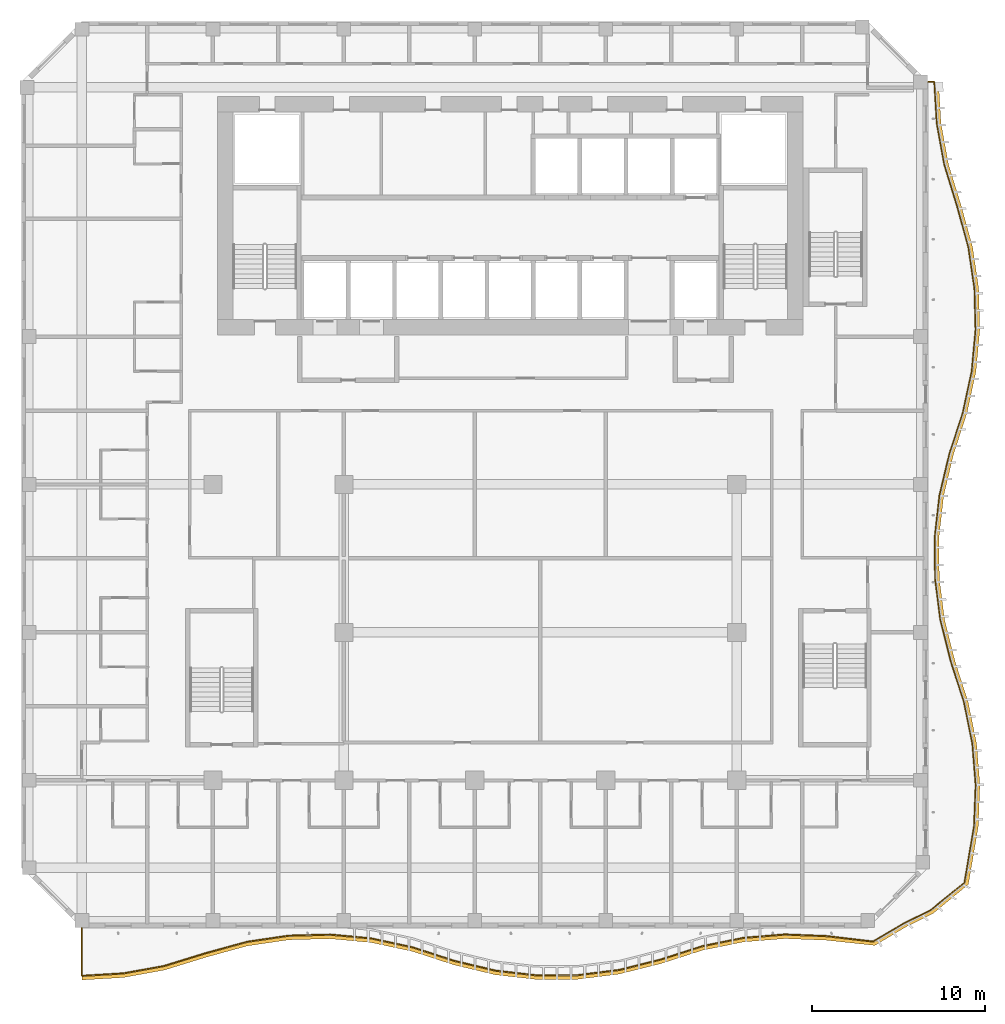
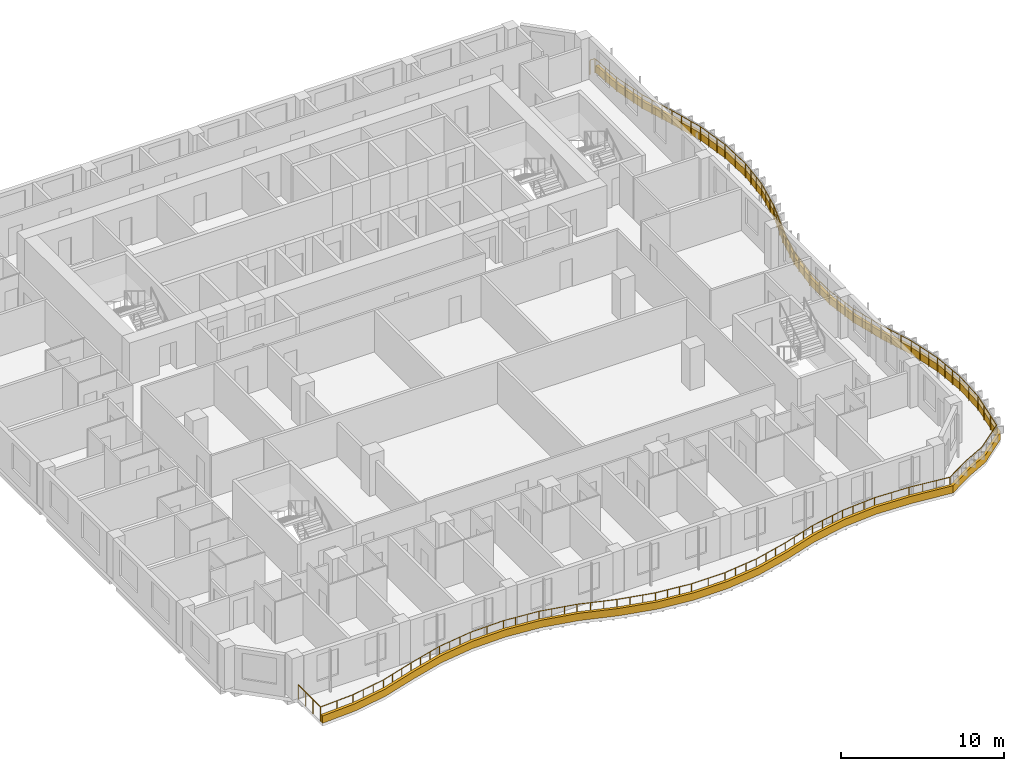
# One storey, part 17 of 22: 1 railing, 1 shading device.
"""IFC4 building model written with IfcOpenShell, lengths in metres."""

from ifc_helpers import new_model, si_unit, direction, frame, origin, origin_2d, place, context, subcontext, project, spatial, polyline, circle, outline, extrude, source, transform, mapped, material, layer, layer_set, type_object, element, save


model = new_model("IFC4")

# Units and contexts
model_context = context("Model", 3, precision=1e-05, world=origin(), true_north=direction((0.0, 1.0)))
body_context = subcontext(model_context, "Body", "Model", "MODEL_VIEW")
ifc_project = project(units=[si_unit("LENGTHUNIT", "METRE"), si_unit("AREAUNIT", "SQUARE_METRE"), si_unit("VOLUMEUNIT", "CUBIC_METRE"), si_unit("PLANEANGLEUNIT", "RADIAN"), si_unit("MASSUNIT", "GRAM", prefix="KILO")], contexts=[model_context])

# Site, building, storey
site_placement = place(None, origin())
site = spatial("IfcSite", under=ifc_project, at=site_placement, CompositionType="ELEMENT")
building_placement = place(site_placement, origin())
building = spatial("IfcBuilding", under=site, at=building_placement, Name="Kilnfold Tower and Market Hall", CompositionType="ELEMENT")
storey_placement = place(building_placement, frame((0.0, 0.0, 171.89990234375)))
storey = spatial("IfcBuildingStorey", under=building, at=storey_placement, Name="L40", CompositionType="ELEMENT", Elevation=171.89990234375)

# Railing
ifc_material_1 = material(Name="Stainless steel and laminated glass", Category="steel")
railing_type = type_object("IfcRailingType", Name="GUARD 1100", PredefinedType="GUARDRAIL", material=ifc_material_1)
railing_placement = place(storey_placement, frame((-23.75, -26.25, 0.0)))
element("IfcRailing", 1, at=railing_placement, inside=storey, type_object=railing_type, Name="Guard balcony L40", PredefinedType="GUARDRAIL", context=body_context, shape_type="SweptSolid", body=[
    extrude(circle(Radius=0.02490234375, at=origin_2d()), frame((0.0, 0.0, 1.0751953125), z_axis=(0.0, -1.0, 0.0), x_axis=(1.0, 0.0, 0.0)), (0.0, 0.0, 1.0), 2.75),
    extrude(circle(Radius=0.02490234375, at=origin_2d()), frame((0.0, -2.75, 1.0751953125), z_axis=(0.998232361195, 0.059431919557, 0.0), x_axis=(-0.059431919557, 0.998232361195, 0.0)), (0.0, 0.0, 1.0), 2.39892578125),
    extrude(circle(Radius=0.02490234375, at=origin_2d()), frame((2.394775390625, -2.607421875, 1.0751953125), z_axis=(0.983948458674, 0.178452880822, 0.0), x_axis=(-0.178452880822, 0.983948458674, 0.0)), (0.0, 0.0, 1.0), 2.433837890625),
    extrude(circle(Radius=0.02490234375, at=origin_2d()), frame((4.78955078125, -2.173095703125, 1.0751953125), z_axis=(0.955500538095, 0.294989358621, 0.0), x_axis=(-0.294989358621, 0.955500538095, 0.0)), (0.0, 0.0, 1.0), 2.506103515625),
    extrude(circle(Radius=0.02490234375, at=origin_2d()), frame((7.18408203125, -1.433837890625, 1.0751953125), z_axis=(0.964367964402, 0.264564603141, 0.0), x_axis=(-0.264564603141, 0.964367964402, 0.0)), (0.0, 0.0, 1.0), 2.483154296875),
    extrude(circle(Radius=0.02490234375, at=origin_2d()), frame((9.578857421875, -0.77685546875, 1.0751953125), z_axis=(0.989351874828, 0.145543353591, 0.0), x_axis=(-0.145543353591, 0.989351874828, 0.0)), (0.0, 0.0, 1.0), 2.420654296875),
    extrude(circle(Radius=0.02490234375, at=origin_2d()), frame((11.9736328125, -0.424560546875, 1.0751953125), z_axis=(0.999646189257, 0.026598802671, 0.0), x_axis=(-0.026598802671, 0.999646189257, 0.0)), (0.0, 0.0, 1.0), 2.3955078125),
    extrude(circle(Radius=0.02490234375, at=origin_2d()), frame((14.368408203125, -0.36083984375, 1.0751953125), z_axis=(0.995733595296, -0.092274629231, 0.0), x_axis=(0.092274629231, 0.995733595296, 0.0)), (0.0, 0.0, 1.0), 2.405029296875),
    extrude(circle(Radius=0.02490234375, at=origin_2d()), frame((16.76318359375, -0.582763671875, 1.0751953125), z_axis=(0.97743196343, -0.211250460034, 0.0), x_axis=(0.211250460034, 0.97743196343, 0.0)), (0.0, 0.0, 1.0), 2.449951171875),
    extrude(circle(Radius=0.02490234375, at=origin_2d()), frame((19.157958984375, -1.100341796875, 1.0751953125), z_axis=(0.95090859365, -0.309471883251, 0.0), x_axis=(0.309471883251, 0.95090859365, 0.0)), (0.0, 0.0, 1.0), 2.51806640625),
    extrude(circle(Radius=0.02490234375, at=origin_2d()), frame((21.552490234375, -1.879638671875, 1.0751953125), z_axis=(0.97282217263, -0.231553493689, 0.0), x_axis=(0.231553493689, 0.97282217263, 0.0)), (0.0, 0.0, 1.0), 2.4619140625),
    extrude(circle(Radius=0.02490234375, at=origin_2d()), frame((23.947509765625, -2.44970703125, 1.0751953125), z_axis=(0.993622807535, -0.11275511672, 0.0), x_axis=(0.11275511672, 0.993622807535, 0.0)), (0.0, 0.0, 1.0), 2.409912109375),
    extrude(circle(Radius=0.02490234375, at=origin_2d()), frame((26.342041015625, -2.721435546875, 1.0751953125), z_axis=(0.999980663957, 0.006218658426, 0.0), x_axis=(-0.006218658426, 0.999980663957, 0.0)), (0.0, 0.0, 1.0), 2.394775390625),
    extrude(circle(Radius=0.02490234375, at=origin_2d()), frame((28.73681640625, -2.70654296875, 1.0751953125), z_axis=(0.992141905522, 0.125117701818, 0.0), x_axis=(-0.125117701818, 0.992141905522, 0.0)), (0.0, 0.0, 1.0), 2.413818359375),
    extrude(circle(Radius=0.02490234375, at=origin_2d()), frame((31.131591796875, -2.404541015625, 1.0751953125), z_axis=(0.969751609907, 0.244093865313, 0.0), x_axis=(-0.244093865313, 0.969751609907, 0.0)), (0.0, 0.0, 1.0), 2.469482421875),
    extrude(circle(Radius=0.02490234375, at=origin_2d()), frame((33.5263671875, -1.8017578125, 1.0751953125), z_axis=(0.952025531735, 0.306018605521, 0.0), x_axis=(-0.306018605521, 0.952025531735, 0.0)), (0.0, 0.0, 1.0), 2.515380859375),
    extrude(circle(Radius=0.02490234375, at=origin_2d()), frame((35.921142578125, -1.031982421875, 1.0751953125), z_axis=(0.980035103749, 0.19882453425, 0.0), x_axis=(-0.19882453425, 0.980035103749, 0.0)), (0.0, 0.0, 1.0), 2.443603515625),
    extrude(circle(Radius=0.02490234375, at=origin_2d()), frame((38.31591796875, -0.546142578125, 1.0751953125), z_axis=(0.996804281858, 0.079882561739, 0.0), x_axis=(-0.079882561739, 0.996804281858, 0.0)), (0.0, 0.0, 1.0), 2.402099609375),
    extrude(circle(Radius=0.02490234375, at=origin_2d()), frame((40.71044921875, -0.354248046875, 1.0751953125), z_axis=(0.99923858427, -0.039016044222, 0.0), x_axis=(0.039016044222, 0.99923858427, 0.0)), (0.0, 0.0, 1.0), 2.396484375),
    extrude(circle(Radius=0.02490234375, at=origin_2d()), frame((43.105224609375, -0.44775390625, 1.0751953125), z_axis=(0.99312251289, -0.117079777888, 0.0), x_axis=(0.117079777888, 0.99312251289, 0.0)), (0.0, 0.0, 1.0), 2.731689453125),
    extrude(circle(Radius=0.02490234375, at=origin_2d()), frame((45.818115234375, -0.767578125, 1.0751953125), z_axis=(0.860500345603, 0.509449855449, 0.0), x_axis=(-0.509449855449, 0.860500345603, 0.0)), (0.0, 0.0, 1.0), 2.031494140625),
    extrude(circle(Radius=0.02490234375, at=origin_2d()), frame((47.566162109375, 0.267333984375, 1.0751953125), z_axis=(0.895908654093, 0.444238318386, 0.0), x_axis=(-0.444238318386, 0.895908654093, 0.0)), (0.0, 0.0, 1.0), 1.740966796875),
    extrude(circle(Radius=0.02490234375, at=origin_2d()), frame((49.1259765625, 1.040771484375, 1.0751953125), z_axis=(0.778039049363, 0.628215916438, 0.0), x_axis=(-0.628215916438, 0.778039049363, 0.0)), (0.0, 0.0, 1.0), 2.5322265625),
    extrude(circle(Radius=0.02490234375, at=origin_2d()), frame((51.09619140625, 2.631591796875, 1.0751953125), z_axis=(0.167938126131, 0.985797537931, 0.0), x_axis=(-0.985797537931, 0.167938126131, 0.0)), (0.0, 0.0, 1.0), 3.310302734375),
    extrude(circle(Radius=0.02490234375, at=origin_2d()), frame((51.652099609375, 5.894775390625, 1.0751953125), z_axis=(0.039117758111, 0.999234607587, 0.0), x_axis=(-0.999234607587, 0.039117758111, 0.0)), (0.0, 0.0, 1.0), 2.396728515625),
    extrude(circle(Radius=0.02490234375, at=origin_2d()), frame((51.745849609375, 8.28955078125, 1.0751953125), z_axis=(-0.079882561739, 0.996804281858, 0.0), x_axis=(-0.996804281858, -0.079882561739, 0.0)), (0.0, 0.0, 1.0), 2.402099609375),
    extrude(circle(Radius=0.02490234375, at=origin_2d()), frame((51.553955078125, 10.68408203125, 1.0751953125), z_axis=(-0.19882453425, 0.980035103749, 0.0), x_axis=(-0.980035103749, -0.19882453425, 0.0)), (0.0, 0.0, 1.0), 2.443603515625),
    extrude(circle(Radius=0.02490234375, at=origin_2d()), frame((51.068115234375, 13.078857421875, 1.0751953125), z_axis=(-0.306018605521, 0.952025531735, 0.0), x_axis=(-0.952025531735, -0.306018605521, 0.0)), (0.0, 0.0, 1.0), 2.515380859375),
    extrude(circle(Radius=0.02490234375, at=origin_2d()), frame((50.29833984375, 15.4736328125, 1.0751953125), z_axis=(-0.244093865313, 0.969751609907, 0.0), x_axis=(-0.969751609907, -0.244093865313, 0.0)), (0.0, 0.0, 1.0), 2.469482421875),
    extrude(circle(Radius=0.02490234375, at=origin_2d()), frame((49.695556640625, 17.868408203125, 1.0751953125), z_axis=(-0.125217262623, 0.992129344965, 0.0), x_axis=(-0.992129344965, -0.125217262623, 0.0)), (0.0, 0.0, 1.0), 2.413818359375),
    extrude(circle(Radius=0.02490234375, at=origin_2d()), frame((49.393310546875, 20.26318359375, 1.0751953125), z_axis=(-0.006218658426, 0.999980663957, 0.0), x_axis=(-0.999980663957, -0.006218658426, 0.0)), (0.0, 0.0, 1.0), 2.394775390625),
    extrude(circle(Radius=0.02490234375, at=origin_2d()), frame((49.37841796875, 22.657958984375, 1.0751953125), z_axis=(0.11275511672, 0.993622807535, 0.0), x_axis=(-0.993622807535, 0.11275511672, 0.0)), (0.0, 0.0, 1.0), 2.409912109375),
    extrude(circle(Radius=0.02490234375, at=origin_2d()), frame((49.650146484375, 25.052490234375, 1.0751953125), z_axis=(0.231647339829, 0.972799830361, 0.0), x_axis=(-0.972799830361, 0.231647339829, 0.0)), (0.0, 0.0, 1.0), 2.4619140625),
    extrude(circle(Radius=0.02490234375, at=origin_2d()), frame((50.220458984375, 27.447509765625, 1.0751953125), z_axis=(0.309384212364, 0.950937121549, 0.0), x_axis=(-0.950937121549, 0.309384212364, 0.0)), (0.0, 0.0, 1.0), 2.51806640625),
    extrude(circle(Radius=0.02490234375, at=origin_2d()), frame((50.99951171875, 29.842041015625, 1.0751953125), z_axis=(0.211250460034, 0.97743196343, 0.0), x_axis=(-0.97743196343, 0.211250460034, 0.0)), (0.0, 0.0, 1.0), 2.449951171875),
    extrude(circle(Radius=0.02490234375, at=origin_2d()), frame((51.51708984375, 32.23681640625, 1.0751953125), z_axis=(0.092375275723, 0.995724263255, 0.0), x_axis=(-0.995724263255, 0.092375275723, 0.0)), (0.0, 0.0, 1.0), 2.405029296875),
    extrude(circle(Radius=0.02490234375, at=origin_2d()), frame((51.7392578125, 34.631591796875, 1.0751953125), z_axis=(-0.026700641276, 0.999643474322, 0.0), x_axis=(-0.999643474322, -0.026700641276, 0.0)), (0.0, 0.0, 1.0), 2.3955078125),
    extrude(circle(Radius=0.02490234375, at=origin_2d()), frame((51.67529296875, 37.0263671875, 1.0751953125), z_axis=(-0.145543353591, 0.989351874828, 0.0), x_axis=(-0.989351874828, -0.145543353591, 0.0)), (0.0, 0.0, 1.0), 2.420654296875),
    extrude(circle(Radius=0.02490234375, at=origin_2d()), frame((51.322998046875, 39.421142578125, 1.0751953125), z_axis=(-0.264473166443, 0.964393044475, 0.0), x_axis=(-0.964393044475, -0.264473166443, 0.0)), (0.0, 0.0, 1.0), 2.483154296875),
    extrude(circle(Radius=0.02490234375, at=origin_2d()), frame((50.666259765625, 41.81591796875, 1.0751953125), z_axis=(-0.294989358621, 0.955500538095, 0.0), x_axis=(-0.955500538095, -0.294989358621, 0.0)), (0.0, 0.0, 1.0), 2.506103515625),
    extrude(circle(Radius=0.02490234375, at=origin_2d()), frame((49.927001953125, 44.21044921875, 1.0751953125), z_axis=(-0.178452880822, 0.983948458674, 0.0), x_axis=(-0.983948458674, -0.178452880822, 0.0)), (0.0, 0.0, 1.0), 2.433837890625),
    extrude(circle(Radius=0.02490234375, at=origin_2d()), frame((49.49267578125, 46.605224609375, 1.0751953125), z_axis=(-0.059431919557, 0.998232361195, 0.0), x_axis=(-0.998232361195, -0.059431919557, 0.0)), (0.0, 0.0, 1.0), 2.39892578125),
    extrude(circle(Radius=0.02490234375, at=origin_2d()), frame((49.35009765625, 49.0, 1.0751953125), z_axis=(-1.0, 0.0, 0.0), x_axis=(0.0, -1.0, 0.0)), (0.0, 0.0, 1.0), 0.35009765625),
    extrude(circle(Radius=0.02490234375, at=origin_2d()), origin(), (0.0, 0.0, 1.0), 1.050048828125),
    extrude(circle(Radius=0.02490234375, at=origin_2d()), frame((0.0, -0.916748046875, 0.0)), (0.0, 0.0, 1.0), 1.050048828125),
    extrude(circle(Radius=0.02490234375, at=origin_2d()), frame((0.0, -1.833251953125, 0.0)), (0.0, 0.0, 1.0), 1.050048828125),
    extrude(circle(Radius=0.02490234375, at=origin_2d()), frame((0.0, -2.75, 0.0)), (0.0, 0.0, 1.0), 1.050048828125),
    extrude(circle(Radius=0.02490234375, at=origin_2d()), frame((1.197265625, -2.6787109375, 0.0)), (0.0, 0.0, 1.0), 1.050048828125),
    extrude(circle(Radius=0.02490234375, at=origin_2d()), frame((2.394775390625, -2.607421875, 0.0)), (0.0, 0.0, 1.0), 1.050048828125),
    extrude(circle(Radius=0.02490234375, at=origin_2d()), frame((3.193115234375, -2.462646484375, 0.0)), (0.0, 0.0, 1.0), 1.050048828125),
    extrude(circle(Radius=0.02490234375, at=origin_2d()), frame((3.9912109375, -2.31787109375, 0.0)), (0.0, 0.0, 1.0), 1.050048828125),
    extrude(circle(Radius=0.02490234375, at=origin_2d()), frame((4.78955078125, -2.173095703125, 0.0)), (0.0, 0.0, 1.0), 1.050048828125),
    extrude(circle(Radius=0.02490234375, at=origin_2d()), frame((5.587646484375, -1.9267578125, 0.0)), (0.0, 0.0, 1.0), 1.050048828125),
    extrude(circle(Radius=0.02490234375, at=origin_2d()), frame((6.385986328125, -1.68017578125, 0.0)), (0.0, 0.0, 1.0), 1.050048828125),
    extrude(circle(Radius=0.02490234375, at=origin_2d()), frame((7.18408203125, -1.433837890625, 0.0)), (0.0, 0.0, 1.0), 1.050048828125),
    extrude(circle(Radius=0.02490234375, at=origin_2d()), frame((7.982421875, -1.21484375, 0.0)), (0.0, 0.0, 1.0), 1.050048828125),
    extrude(circle(Radius=0.02490234375, at=origin_2d()), frame((8.780517578125, -0.995849609375, 0.0)), (0.0, 0.0, 1.0), 1.050048828125),
    extrude(circle(Radius=0.02490234375, at=origin_2d()), frame((9.578857421875, -0.77685546875, 0.0)), (0.0, 0.0, 1.0), 1.050048828125),
    extrude(circle(Radius=0.02490234375, at=origin_2d()), frame((10.377197265625, -0.659423828125, 0.0)), (0.0, 0.0, 1.0), 1.050048828125),
    extrude(circle(Radius=0.02490234375, at=origin_2d()), frame((11.17529296875, -0.5419921875, 0.0)), (0.0, 0.0, 1.0), 1.050048828125),
    extrude(circle(Radius=0.02490234375, at=origin_2d()), frame((11.9736328125, -0.424560546875, 0.0)), (0.0, 0.0, 1.0), 1.050048828125),
    extrude(circle(Radius=0.02490234375, at=origin_2d()), frame((13.1708984375, -0.392578125, 0.0)), (0.0, 0.0, 1.0), 1.050048828125),
    extrude(circle(Radius=0.02490234375, at=origin_2d()), frame((14.368408203125, -0.36083984375, 0.0)), (0.0, 0.0, 1.0), 1.050048828125),
    extrude(circle(Radius=0.02490234375, at=origin_2d()), frame((15.166748046875, -0.434814453125, 0.0)), (0.0, 0.0, 1.0), 1.050048828125),
    extrude(circle(Radius=0.02490234375, at=origin_2d()), frame((15.96484375, -0.5087890625, 0.0)), (0.0, 0.0, 1.0), 1.050048828125),
    extrude(circle(Radius=0.02490234375, at=origin_2d()), frame((16.76318359375, -0.582763671875, 0.0)), (0.0, 0.0, 1.0), 1.050048828125),
    extrude(circle(Radius=0.02490234375, at=origin_2d()), frame((17.5615234375, -0.75537109375, 0.0)), (0.0, 0.0, 1.0), 1.050048828125),
    extrude(circle(Radius=0.02490234375, at=origin_2d()), frame((18.359619140625, -0.927734375, 0.0)), (0.0, 0.0, 1.0), 1.050048828125),
    extrude(circle(Radius=0.02490234375, at=origin_2d()), frame((19.157958984375, -1.100341796875, 0.0)), (0.0, 0.0, 1.0), 1.050048828125),
    extrude(circle(Radius=0.02490234375, at=origin_2d()), frame((19.9560546875, -1.360107421875, 0.0)), (0.0, 0.0, 1.0), 1.050048828125),
    extrude(circle(Radius=0.02490234375, at=origin_2d()), frame((20.75439453125, -1.619873046875, 0.0)), (0.0, 0.0, 1.0), 1.050048828125),
    extrude(circle(Radius=0.02490234375, at=origin_2d()), frame((21.552490234375, -1.879638671875, 0.0)), (0.0, 0.0, 1.0), 1.050048828125),
    extrude(circle(Radius=0.02490234375, at=origin_2d()), frame((22.350830078125, -2.069580078125, 0.0)), (0.0, 0.0, 1.0), 1.050048828125),
    extrude(circle(Radius=0.02490234375, at=origin_2d()), frame((23.149169921875, -2.259765625, 0.0)), (0.0, 0.0, 1.0), 1.050048828125),
    extrude(circle(Radius=0.02490234375, at=origin_2d()), frame((23.947509765625, -2.44970703125, 0.0)), (0.0, 0.0, 1.0), 1.050048828125),
    extrude(circle(Radius=0.02490234375, at=origin_2d()), frame((24.74560546875, -2.540283203125, 0.0)), (0.0, 0.0, 1.0), 1.050048828125),
    extrude(circle(Radius=0.02490234375, at=origin_2d()), frame((25.5439453125, -2.630859375, 0.0)), (0.0, 0.0, 1.0), 1.050048828125),
    extrude(circle(Radius=0.02490234375, at=origin_2d()), frame((26.342041015625, -2.721435546875, 0.0)), (0.0, 0.0, 1.0), 1.050048828125),
    extrude(circle(Radius=0.02490234375, at=origin_2d()), frame((27.53955078125, -2.7138671875, 0.0)), (0.0, 0.0, 1.0), 1.050048828125),
    extrude(circle(Radius=0.02490234375, at=origin_2d()), frame((28.73681640625, -2.70654296875, 0.0)), (0.0, 0.0, 1.0), 1.050048828125),
    extrude(circle(Radius=0.02490234375, at=origin_2d()), frame((29.53515625, -2.60595703125, 0.0)), (0.0, 0.0, 1.0), 1.050048828125),
    extrude(circle(Radius=0.02490234375, at=origin_2d()), frame((30.333251953125, -2.505126953125, 0.0)), (0.0, 0.0, 1.0), 1.050048828125),
    extrude(circle(Radius=0.02490234375, at=origin_2d()), frame((31.131591796875, -2.404541015625, 0.0)), (0.0, 0.0, 1.0), 1.050048828125),
    extrude(circle(Radius=0.02490234375, at=origin_2d()), frame((31.929931640625, -2.20361328125, 0.0)), (0.0, 0.0, 1.0), 1.050048828125),
    extrude(circle(Radius=0.02490234375, at=origin_2d()), frame((32.72802734375, -2.002685546875, 0.0)), (0.0, 0.0, 1.0), 1.050048828125),
    extrude(circle(Radius=0.02490234375, at=origin_2d()), frame((33.5263671875, -1.8017578125, 0.0)), (0.0, 0.0, 1.0), 1.050048828125),
    extrude(circle(Radius=0.02490234375, at=origin_2d()), frame((34.32470703125, -1.545166015625, 0.0)), (0.0, 0.0, 1.0), 1.050048828125),
    extrude(circle(Radius=0.02490234375, at=origin_2d()), frame((35.122802734375, -1.28857421875, 0.0)), (0.0, 0.0, 1.0), 1.050048828125),
    extrude(circle(Radius=0.02490234375, at=origin_2d()), frame((35.921142578125, -1.031982421875, 0.0)), (0.0, 0.0, 1.0), 1.050048828125),
    extrude(circle(Radius=0.02490234375, at=origin_2d()), frame((36.719482421875, -0.8701171875, 0.0)), (0.0, 0.0, 1.0), 1.050048828125),
    extrude(circle(Radius=0.02490234375, at=origin_2d()), frame((37.517578125, -0.7080078125, 0.0)), (0.0, 0.0, 1.0), 1.050048828125),
    extrude(circle(Radius=0.02490234375, at=origin_2d()), frame((38.31591796875, -0.546142578125, 0.0)), (0.0, 0.0, 1.0), 1.050048828125),
    extrude(circle(Radius=0.02490234375, at=origin_2d()), frame((39.114013671875, -0.482177734375, 0.0)), (0.0, 0.0, 1.0), 1.050048828125),
    extrude(circle(Radius=0.02490234375, at=origin_2d()), frame((39.912353515625, -0.418212890625, 0.0)), (0.0, 0.0, 1.0), 1.050048828125),
    extrude(circle(Radius=0.02490234375, at=origin_2d()), frame((40.71044921875, -0.354248046875, 0.0)), (0.0, 0.0, 1.0), 1.050048828125),
    extrude(circle(Radius=0.02490234375, at=origin_2d()), frame((41.90771484375, -0.40087890625, 0.0)), (0.0, 0.0, 1.0), 1.050048828125),
    extrude(circle(Radius=0.02490234375, at=origin_2d()), frame((43.105224609375, -0.44775390625, 0.0)), (0.0, 0.0, 1.0), 1.050048828125),
    extrude(circle(Radius=0.02490234375, at=origin_2d()), frame((44.009521484375, -0.554443359375, 0.0)), (0.0, 0.0, 1.0), 1.050048828125),
    extrude(circle(Radius=0.02490234375, at=origin_2d()), frame((44.913818359375, -0.660888671875, 0.0)), (0.0, 0.0, 1.0), 1.050048828125),
    extrude(circle(Radius=0.02490234375, at=origin_2d()), frame((45.818115234375, -0.767578125, 0.0)), (0.0, 0.0, 1.0), 1.050048828125),
    extrude(circle(Radius=0.02490234375, at=origin_2d()), frame((46.692138671875, -0.25, 0.0)), (0.0, 0.0, 1.0), 1.050048828125),
    extrude(circle(Radius=0.02490234375, at=origin_2d()), frame((47.566162109375, 0.267333984375, 0.0)), (0.0, 0.0, 1.0), 1.050048828125),
    extrude(circle(Radius=0.02490234375, at=origin_2d()), frame((48.34619140625, 0.654052734375, 0.0)), (0.0, 0.0, 1.0), 1.050048828125),
    extrude(circle(Radius=0.02490234375, at=origin_2d()), frame((49.1259765625, 1.040771484375, 0.0)), (0.0, 0.0, 1.0), 1.050048828125),
    extrude(circle(Radius=0.02490234375, at=origin_2d()), frame((49.78271484375, 1.571044921875, 0.0)), (0.0, 0.0, 1.0), 1.050048828125),
    extrude(circle(Radius=0.02490234375, at=origin_2d()), frame((50.439453125, 2.101318359375, 0.0)), (0.0, 0.0, 1.0), 1.050048828125),
    extrude(circle(Radius=0.02490234375, at=origin_2d()), frame((51.09619140625, 2.631591796875, 0.0)), (0.0, 0.0, 1.0), 1.050048828125),
    extrude(circle(Radius=0.02490234375, at=origin_2d()), frame((51.281494140625, 3.71923828125, 0.0)), (0.0, 0.0, 1.0), 1.050048828125),
    extrude(circle(Radius=0.02490234375, at=origin_2d()), frame((51.466796875, 4.80712890625, 0.0)), (0.0, 0.0, 1.0), 1.050048828125),
    extrude(circle(Radius=0.02490234375, at=origin_2d()), frame((51.652099609375, 5.894775390625, 0.0)), (0.0, 0.0, 1.0), 1.050048828125),
    extrude(circle(Radius=0.02490234375, at=origin_2d()), frame((51.698974609375, 7.09228515625, 0.0)), (0.0, 0.0, 1.0), 1.050048828125),
    extrude(circle(Radius=0.02490234375, at=origin_2d()), frame((51.745849609375, 8.28955078125, 0.0)), (0.0, 0.0, 1.0), 1.050048828125),
    extrude(circle(Radius=0.02490234375, at=origin_2d()), frame((51.681884765625, 9.087646484375, 0.0)), (0.0, 0.0, 1.0), 1.050048828125),
    extrude(circle(Radius=0.02490234375, at=origin_2d()), frame((51.617919921875, 9.885986328125, 0.0)), (0.0, 0.0, 1.0), 1.050048828125),
    extrude(circle(Radius=0.02490234375, at=origin_2d()), frame((51.553955078125, 10.68408203125, 0.0)), (0.0, 0.0, 1.0), 1.050048828125),
    extrude(circle(Radius=0.02490234375, at=origin_2d()), frame((51.39208984375, 11.482421875, 0.0)), (0.0, 0.0, 1.0), 1.050048828125),
    extrude(circle(Radius=0.02490234375, at=origin_2d()), frame((51.22998046875, 12.280517578125, 0.0)), (0.0, 0.0, 1.0), 1.050048828125),
    extrude(circle(Radius=0.02490234375, at=origin_2d()), frame((51.068115234375, 13.078857421875, 0.0)), (0.0, 0.0, 1.0), 1.050048828125),
    extrude(circle(Radius=0.02490234375, at=origin_2d()), frame((50.8115234375, 13.877197265625, 0.0)), (0.0, 0.0, 1.0), 1.050048828125),
    extrude(circle(Radius=0.02490234375, at=origin_2d()), frame((50.554931640625, 14.67529296875, 0.0)), (0.0, 0.0, 1.0), 1.050048828125),
    extrude(circle(Radius=0.02490234375, at=origin_2d()), frame((50.29833984375, 15.4736328125, 0.0)), (0.0, 0.0, 1.0), 1.050048828125),
    extrude(circle(Radius=0.02490234375, at=origin_2d()), frame((50.097412109375, 16.27197265625, 0.0)), (0.0, 0.0, 1.0), 1.050048828125),
    extrude(circle(Radius=0.02490234375, at=origin_2d()), frame((49.896484375, 17.070068359375, 0.0)), (0.0, 0.0, 1.0), 1.050048828125),
    extrude(circle(Radius=0.02490234375, at=origin_2d()), frame((49.695556640625, 17.868408203125, 0.0)), (0.0, 0.0, 1.0), 1.050048828125),
    extrude(circle(Radius=0.02490234375, at=origin_2d()), frame((49.5947265625, 18.666748046875, 0.0)), (0.0, 0.0, 1.0), 1.050048828125),
    extrude(circle(Radius=0.02490234375, at=origin_2d()), frame((49.494140625, 19.46484375, 0.0)), (0.0, 0.0, 1.0), 1.050048828125),
    extrude(circle(Radius=0.02490234375, at=origin_2d()), frame((49.393310546875, 20.26318359375, 0.0)), (0.0, 0.0, 1.0), 1.050048828125),
    extrude(circle(Radius=0.02490234375, at=origin_2d()), frame((49.3857421875, 21.46044921875, 0.0)), (0.0, 0.0, 1.0), 1.050048828125),
    extrude(circle(Radius=0.02490234375, at=origin_2d()), frame((49.37841796875, 22.657958984375, 0.0)), (0.0, 0.0, 1.0), 1.050048828125),
    extrude(circle(Radius=0.02490234375, at=origin_2d()), frame((49.468994140625, 23.4560546875, 0.0)), (0.0, 0.0, 1.0), 1.050048828125),
    extrude(circle(Radius=0.02490234375, at=origin_2d()), frame((49.5595703125, 24.25439453125, 0.0)), (0.0, 0.0, 1.0), 1.050048828125),
    extrude(circle(Radius=0.02490234375, at=origin_2d()), frame((49.650146484375, 25.052490234375, 0.0)), (0.0, 0.0, 1.0), 1.050048828125),
    extrude(circle(Radius=0.02490234375, at=origin_2d()), frame((49.84033203125, 25.850830078125, 0.0)), (0.0, 0.0, 1.0), 1.050048828125),
    extrude(circle(Radius=0.02490234375, at=origin_2d()), frame((50.0302734375, 26.649169921875, 0.0)), (0.0, 0.0, 1.0), 1.050048828125),
    extrude(circle(Radius=0.02490234375, at=origin_2d()), frame((50.220458984375, 27.447509765625, 0.0)), (0.0, 0.0, 1.0), 1.050048828125),
    extrude(circle(Radius=0.02490234375, at=origin_2d()), frame((50.480224609375, 28.24560546875, 0.0)), (0.0, 0.0, 1.0), 1.050048828125),
    extrude(circle(Radius=0.02490234375, at=origin_2d()), frame((50.73974609375, 29.0439453125, 0.0)), (0.0, 0.0, 1.0), 1.050048828125),
    extrude(circle(Radius=0.02490234375, at=origin_2d()), frame((50.99951171875, 29.842041015625, 0.0)), (0.0, 0.0, 1.0), 1.050048828125),
    extrude(circle(Radius=0.02490234375, at=origin_2d()), frame((51.172119140625, 30.640380859375, 0.0)), (0.0, 0.0, 1.0), 1.050048828125),
    extrude(circle(Radius=0.02490234375, at=origin_2d()), frame((51.344482421875, 31.4384765625, 0.0)), (0.0, 0.0, 1.0), 1.050048828125),
    extrude(circle(Radius=0.02490234375, at=origin_2d()), frame((51.51708984375, 32.23681640625, 0.0)), (0.0, 0.0, 1.0), 1.050048828125),
    extrude(circle(Radius=0.02490234375, at=origin_2d()), frame((51.591064453125, 33.03515625, 0.0)), (0.0, 0.0, 1.0), 1.050048828125),
    extrude(circle(Radius=0.02490234375, at=origin_2d()), frame((51.665283203125, 33.833251953125, 0.0)), (0.0, 0.0, 1.0), 1.050048828125),
    extrude(circle(Radius=0.02490234375, at=origin_2d()), frame((51.7392578125, 34.631591796875, 0.0)), (0.0, 0.0, 1.0), 1.050048828125),
    extrude(circle(Radius=0.02490234375, at=origin_2d()), frame((51.707275390625, 35.8291015625, 0.0)), (0.0, 0.0, 1.0), 1.050048828125),
    extrude(circle(Radius=0.02490234375, at=origin_2d()), frame((51.67529296875, 37.0263671875, 0.0)), (0.0, 0.0, 1.0), 1.050048828125),
    extrude(circle(Radius=0.02490234375, at=origin_2d()), frame((51.557861328125, 37.82470703125, 0.0)), (0.0, 0.0, 1.0), 1.050048828125),
    extrude(circle(Radius=0.02490234375, at=origin_2d()), frame((51.4404296875, 38.622802734375, 0.0)), (0.0, 0.0, 1.0), 1.050048828125),
    extrude(circle(Radius=0.02490234375, at=origin_2d()), frame((51.322998046875, 39.421142578125, 0.0)), (0.0, 0.0, 1.0), 1.050048828125),
    extrude(circle(Radius=0.02490234375, at=origin_2d()), frame((51.10400390625, 40.219482421875, 0.0)), (0.0, 0.0, 1.0), 1.050048828125),
    extrude(circle(Radius=0.02490234375, at=origin_2d()), frame((50.88525390625, 41.017578125, 0.0)), (0.0, 0.0, 1.0), 1.050048828125),
    extrude(circle(Radius=0.02490234375, at=origin_2d()), frame((50.666259765625, 41.81591796875, 0.0)), (0.0, 0.0, 1.0), 1.050048828125),
    extrude(circle(Radius=0.02490234375, at=origin_2d()), frame((50.419921875, 42.614013671875, 0.0)), (0.0, 0.0, 1.0), 1.050048828125),
    extrude(circle(Radius=0.02490234375, at=origin_2d()), frame((50.17333984375, 43.412353515625, 0.0)), (0.0, 0.0, 1.0), 1.050048828125),
    extrude(circle(Radius=0.02490234375, at=origin_2d()), frame((49.927001953125, 44.21044921875, 0.0)), (0.0, 0.0, 1.0), 1.050048828125),
    extrude(circle(Radius=0.02490234375, at=origin_2d()), frame((49.7822265625, 45.0087890625, 0.0)), (0.0, 0.0, 1.0), 1.050048828125),
    extrude(circle(Radius=0.02490234375, at=origin_2d()), frame((49.637451171875, 45.806884765625, 0.0)), (0.0, 0.0, 1.0), 1.050048828125),
    extrude(circle(Radius=0.02490234375, at=origin_2d()), frame((49.49267578125, 46.605224609375, 0.0)), (0.0, 0.0, 1.0), 1.050048828125),
    extrude(circle(Radius=0.02490234375, at=origin_2d()), frame((49.42138671875, 47.802734375, 0.0)), (0.0, 0.0, 1.0), 1.050048828125),
    extrude(circle(Radius=0.02490234375, at=origin_2d()), frame((49.35009765625, 49.0, 0.0)), (0.0, 0.0, 1.0), 1.050048828125),
    extrude(circle(Radius=0.02490234375, at=origin_2d()), frame((49.0, 49.0, 0.0)), (0.0, 0.0, 1.0), 1.050048828125),
])

# Shading device
ifc_material_2 = material(Name="Precast concrete C50/60", Category="concrete")
ifc_layer = layer(ifc_material_2, 0.550048828125)
ifc_layer_set = layer_set([ifc_layer], Name="Precast concrete C50/60")
shading_device_type = type_object("IfcShadingDeviceType", Name="BALCONY UPSTAND 550", PredefinedType="USERDEFINED", material=ifc_layer_set)
shared_shape = source(origin(), body_context, "Body", "SweptSolid", [
    extrude(outline(polyline([(-23.75, -29.25), (-21.355224609375, -29.107421875), (-18.96044921875, -28.673095703125), (-16.56591796875, -27.933837890625), (-14.171142578125, -27.27685546875), (-11.7763671875, -26.924560546875), (-9.381591796875, -26.86083984375), (-6.98681640625, -27.082763671875), (-4.592041015625, -27.600341796875), (-2.197509765625, -28.379638671875), (0.197509765625, -28.94970703125), (2.592041015625, -29.221435546875), (4.98681640625, -29.20654296875), (7.381591796875, -28.904541015625), (9.7763671875, -28.3017578125), (12.171142578125, -27.531982421875), (14.56591796875, -27.046142578125), (16.96044921875, -26.854248046875), (19.355224609375, -26.94775390625), (22.163818359375, -27.248779296875), (23.992919921875, -26.159423828125), (25.552734375, -25.385986328125), (27.577392578125, -23.714111328125), (28.152099609375, -20.355224609375), (28.245849609375, -17.96044921875), (28.053955078125, -15.56591796875), (27.568115234375, -13.171142578125), (26.79833984375, -10.7763671875), (26.195556640625, -8.381591796875), (25.893310546875, -5.98681640625), (25.87841796875, -3.592041015625), (26.150146484375, -1.197509765625), (26.720458984375, 1.197509765625), (27.49951171875, 3.592041015625), (28.01708984375, 5.98681640625), (28.2392578125, 8.381591796875), (28.17529296875, 10.7763671875), (27.822998046875, 13.171142578125), (27.166259765625, 15.56591796875), (26.427001953125, 17.96044921875), (25.99267578125, 20.355224609375), (25.85009765625, 22.75), (25.64990234375, 22.75), (25.792724609375, 20.355224609375), (26.226806640625, 17.96044921875), (26.96630859375, 15.56591796875), (27.623046875, 13.171142578125), (27.975341796875, 10.7763671875), (28.039306640625, 8.381591796875), (27.817138671875, 5.98681640625), (27.299560546875, 3.592041015625), (26.5205078125, 1.197509765625), (25.9501953125, -1.197509765625), (25.678466796875, -3.592041015625), (25.693359375, -5.98681640625), (25.99560546875, -8.381591796875), (26.598388671875, -10.7763671875), (27.3681640625, -13.171142578125), (27.85400390625, -15.56591796875), (28.0458984375, -17.96044921875), (27.9521484375, -20.355224609375), (27.392578125, -23.637451171875), (25.411376953125, -25.24462890625), (23.8515625, -26.01806640625), (22.087158203125, -27.06396484375), (19.355224609375, -26.747802734375), (16.96044921875, -26.654296875), (14.56591796875, -26.84619140625), (12.171142578125, -27.331787109375), (9.7763671875, -28.101806640625), (7.381591796875, -28.70458984375), (4.98681640625, -29.006591796875), (2.592041015625, -29.021484375), (0.197509765625, -28.749755859375), (-2.197509765625, -28.1796875), (-4.592041015625, -27.400390625), (-6.98681640625, -26.8828125), (-9.381591796875, -26.660888671875), (-11.7763671875, -26.724609375), (-14.171142578125, -27.076904296875), (-16.56591796875, -27.73388671875), (-18.96044921875, -28.47314453125), (-21.355224609375, -28.9072265625), (-23.75, -29.050048828125), (-23.75, -29.25)])), origin(), (0.0, 0.0, 1.0), 0.550048828125),
])
shading_device_placement = place(storey_placement, origin())
element("IfcShadingDevice", 2, at=shading_device_placement, inside=storey, type_object=shading_device_type, Name="Balcony fascia L40", ObjectType="FASCIA", PredefinedType="USERDEFINED", context=body_context, shape_type="MappedRepresentation", body=[
    mapped(shared_shape, transform((0.0, 0.0, 0.0))),
])

save(model, "model.ifc")
